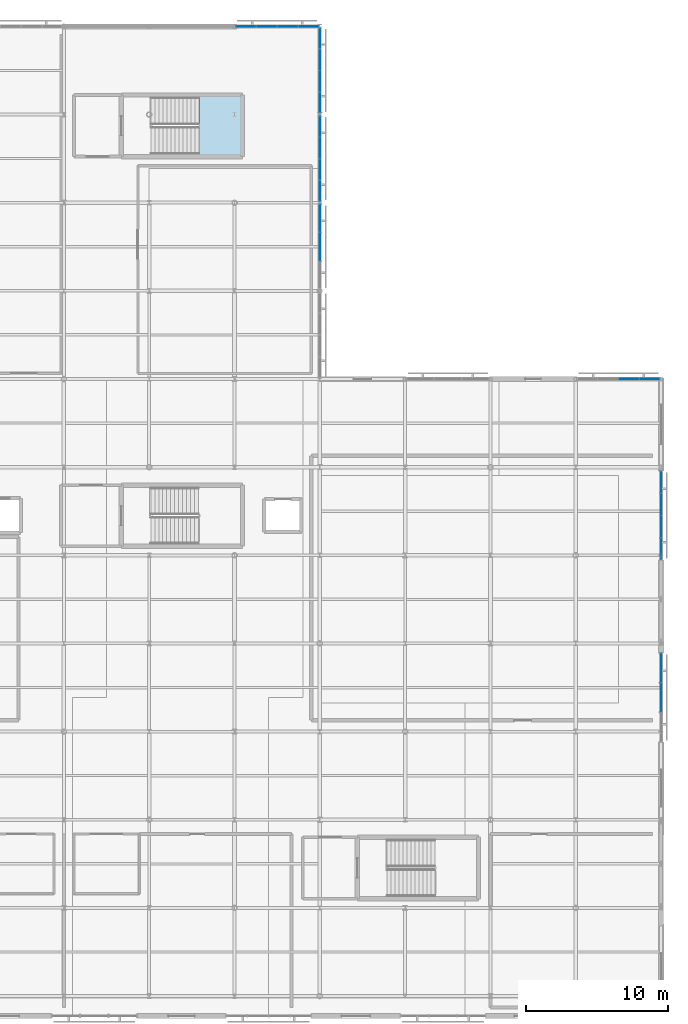
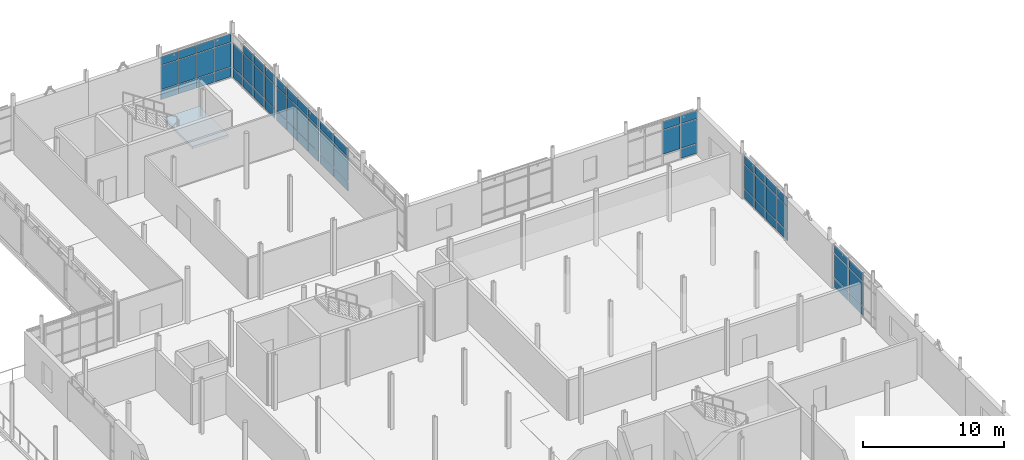
# One storey, part 55 of 84: 64 plates, 1 slab, 8 elements without a shape of their own.
"""IFC4 building model written with IfcOpenShell, lengths in metres."""

from ifc_helpers import new_model, si_unit, direction, frame, origin, origin_2d, place, context, subcontext, project, spatial, polyline, rectangle, outline, extrude, material, layer, layer_set, type_object, element, aggregate, save


model = new_model("IFC4")

# Units and contexts
model_context = context("Model", 3, precision=1e-05, world=origin(), true_north=direction((0.0, 1.0)))
body_context = subcontext(model_context, "Body", "Model", "MODEL_VIEW")
ifc_project = project(units=[si_unit("LENGTHUNIT", "METRE"), si_unit("AREAUNIT", "SQUARE_METRE"), si_unit("VOLUMEUNIT", "CUBIC_METRE"), si_unit("PLANEANGLEUNIT", "RADIAN"), si_unit("MASSUNIT", "GRAM", prefix="KILO")], contexts=[model_context])

# Site, building, storey
site_placement = place(None, origin())
site = spatial("IfcSite", under=ifc_project, at=site_placement, CompositionType="ELEMENT")
building_placement = place(site_placement, origin())
building = spatial("IfcBuilding", under=site, at=building_placement, Name="Mirzam Square Science Centre", CompositionType="ELEMENT")
storey_placement = place(building_placement, frame((0.0, 0.0, 10.800048828125)))
storey = spatial("IfcBuildingStorey", under=building, at=storey_placement, Name="L02", CompositionType="ELEMENT", Elevation=10.800048828125)

# Curtain wall, plates
ifc_material_1 = material(Name="Anodised Aluminium and Low-E Solar Glass", Category="aluminium")
ifc_layer_1 = layer(ifc_material_1, 0.159912109375)
ifc_layer_set_1 = layer_set([ifc_layer_1], Name="CW-COURT-B")
curtain_wall_type_1 = type_object("IfcCurtainWallType", Name="CW-COURT-B", PredefinedType="USERDEFINED", material=ifc_layer_set_1)
curtain_wall_1_placement = place(storey_placement, origin())
curtain_wall_1 = element("IfcCurtainWall", 1, at=curtain_wall_1_placement, inside=storey, type_object=curtain_wall_type_1, Name="L02 unitised curtain wall 107", ObjectType="UNITISED CURTAIN WALL", PredefinedType="USERDEFINED")
ifc_material_2 = material(Name="Ceramic-Fritted Courtyard Solar Glass", Category="glass")
ifc_layer_2 = layer(ifc_material_2, 0.02392578125)
ifc_layer_set_2 = layer_set([ifc_layer_2], Name="CWP-GLZ-24")
plate_type_1 = type_object("IfcPlateType", Name="CWP-GLZ-24", PredefinedType="CURTAIN_PANEL", material=ifc_layer_set_2)
plate_1_placement = place(storey_placement, frame((161.19384765625, 86.800048828125, 0.059814453125), z_axis=(0.0, 0.0, 1.0), x_axis=(-1.0, 0.0, 0.0)))
plate_1 = element("IfcPlate", 2, at=plate_1_placement, type_object=plate_type_1, Name="CW-04 panel 1.1", PredefinedType="CURTAIN_PANEL", context=body_context, shape_type="SweptSolid", body=[
    extrude(rectangle(XDim=1.382568359375, YDim=0.02392578125, at=origin_2d()), origin(), (0.0, 0.0, 1.0), 0.81005859375),
])
plate_2_placement = place(storey_placement, frame((161.19384765625, 86.800048828125, 0.929931640625), z_axis=(0.0, 0.0, 1.0), x_axis=(-1.0, 0.0, 0.0)))
plate_2 = element("IfcPlate", 3, at=plate_2_placement, type_object=plate_type_1, Name="CW-04 panel 1.2", PredefinedType="CURTAIN_PANEL", context=body_context, shape_type="SweptSolid", body=[
    extrude(rectangle(XDim=1.382568359375, YDim=0.02392578125, at=origin_2d()), origin(), (0.0, 0.0, 1.0), 2.080078125),
])
plate_3_placement = place(storey_placement, frame((161.19384765625, 86.800048828125, 3.070068359375), z_axis=(0.0, 0.0, 1.0), x_axis=(-1.0, 0.0, 0.0)))
plate_3 = element("IfcPlate", 4, at=plate_3_placement, type_object=plate_type_1, Name="CW-04 panel 1.3", PredefinedType="CURTAIN_PANEL", context=body_context, shape_type="SweptSolid", body=[
    extrude(rectangle(XDim=1.382568359375, YDim=0.02392578125, at=origin_2d()), origin(), (0.0, 0.0, 1.0), 0.7099609375),
])
plate_4_placement = place(storey_placement, frame((159.736328125, 86.800048828125, 0.929931640625), z_axis=(0.0, 0.0, 1.0), x_axis=(-1.0, 0.0, 0.0)))
plate_4 = element("IfcPlate", 5, at=plate_4_placement, type_object=plate_type_1, Name="CW-04 panel 2.2", PredefinedType="CURTAIN_PANEL", context=body_context, shape_type="SweptSolid", body=[
    extrude(rectangle(XDim=1.41259765625, YDim=0.02392578125, at=origin_2d()), origin(), (0.0, 0.0, 1.0), 2.080078125),
])
plate_5_placement = place(storey_placement, frame((159.736328125, 86.800048828125, 3.070068359375), z_axis=(0.0, 0.0, 1.0), x_axis=(-1.0, 0.0, 0.0)))
plate_5 = element("IfcPlate", 6, at=plate_5_placement, type_object=plate_type_1, Name="CW-04 panel 2.3", PredefinedType="CURTAIN_PANEL", context=body_context, shape_type="SweptSolid", body=[
    extrude(rectangle(XDim=1.41259765625, YDim=0.02392578125, at=origin_2d()), origin(), (0.0, 0.0, 1.0), 0.7099609375),
])
aggregate(curtain_wall_1, [plate_1, plate_2, plate_3, plate_4, plate_5])

ifc_layer_3 = layer(ifc_material_1, 0.239990234375)
ifc_layer_set_3 = layer_set([ifc_layer_3], Name="CW-EAST-B")
curtain_wall_type_2 = type_object("IfcCurtainWallType", Name="CW-EAST-B", PredefinedType="USERDEFINED", material=ifc_layer_set_3)
curtain_wall_2_placement = place(storey_placement, origin())
curtain_wall_2 = element("IfcCurtainWall", 7, at=curtain_wall_2_placement, inside=storey, type_object=curtain_wall_type_2, Name="L02 unitised curtain wall 105", ObjectType="UNITISED CURTAIN WALL", PredefinedType="USERDEFINED")
ifc_material_3 = material(Name="Double-Silver Low-E Insulated Solar Glass", Category="glass")
ifc_layer_4 = layer(ifc_material_3, 0.028076171875)
ifc_layer_set_4 = layer_set([ifc_layer_4], Name="CWP-GLZ-28")
plate_type_2 = type_object("IfcPlateType", Name="CWP-GLZ-28", PredefinedType="CURTAIN_PANEL", material=ifc_layer_set_4)
plate_6_placement = place(storey_placement, frame((162.0, 64.39990234375, 0.074951171875), z_axis=(0.0, 0.0, 1.0), x_axis=(0.0, 1.0, 0.0)))
plate_6 = element("IfcPlate", 8, at=plate_6_placement, type_object=plate_type_2, Name="CW-06 panel 2.1", PredefinedType="CURTAIN_PANEL", context=body_context, shape_type="SweptSolid", body=[
    extrude(rectangle(XDim=2.021728515625, YDim=0.028076171875, at=origin_2d()), origin(), (0.0, 0.0, 1.0), 0.78759765625),
])
plate_7_placement = place(storey_placement, frame((162.0, 64.39990234375, 0.9375), z_axis=(0.0, 0.0, 1.0), x_axis=(0.0, 1.0, 0.0)))
plate_7 = element("IfcPlate", 9, at=plate_7_placement, type_object=plate_type_2, Name="CW-06 panel 2.2", PredefinedType="CURTAIN_PANEL", context=body_context, shape_type="SweptSolid", body=[
    extrude(rectangle(XDim=2.021728515625, YDim=0.028076171875, at=origin_2d()), origin(), (0.0, 0.0, 1.0), 2.06494140625),
])
plate_8_placement = place(storey_placement, frame((162.0, 64.39990234375, 3.077392578125), z_axis=(0.0, 0.0, 1.0), x_axis=(0.0, 1.0, 0.0)))
plate_8 = element("IfcPlate", 10, at=plate_8_placement, type_object=plate_type_2, Name="CW-06 panel 2.3", PredefinedType="CURTAIN_PANEL", context=body_context, shape_type="SweptSolid", body=[
    extrude(rectangle(XDim=2.021728515625, YDim=0.028076171875, at=origin_2d()), origin(), (0.0, 0.0, 1.0), 0.6875),
])
plate_9_placement = place(storey_placement, frame((162.0, 66.47802734375, 0.074951171875), z_axis=(0.0, 0.0, 1.0), x_axis=(0.0, 1.0, 0.0)))
plate_9 = element("IfcPlate", 11, at=plate_9_placement, type_object=plate_type_2, Name="CW-06 panel 3.1", PredefinedType="CURTAIN_PANEL", context=body_context, shape_type="SweptSolid", body=[
    extrude(rectangle(XDim=1.984130859375, YDim=0.028076171875, at=origin_2d()), origin(), (0.0, 0.0, 1.0), 0.78759765625),
])
plate_10_placement = place(storey_placement, frame((162.0, 66.47802734375, 0.9375), z_axis=(0.0, 0.0, 1.0), x_axis=(0.0, 1.0, 0.0)))
plate_10 = element("IfcPlate", 12, at=plate_10_placement, type_object=plate_type_2, Name="CW-06 panel 3.2", PredefinedType="CURTAIN_PANEL", context=body_context, shape_type="SweptSolid", body=[
    extrude(rectangle(XDim=1.984130859375, YDim=0.028076171875, at=origin_2d()), origin(), (0.0, 0.0, 1.0), 2.06494140625),
])
plate_11_placement = place(storey_placement, frame((162.0, 66.47802734375, 3.077392578125), z_axis=(0.0, 0.0, 1.0), x_axis=(0.0, 1.0, 0.0)))
plate_11 = element("IfcPlate", 13, at=plate_11_placement, type_object=plate_type_2, Name="CW-06 panel 3.3", PredefinedType="CURTAIN_PANEL", context=body_context, shape_type="SweptSolid", body=[
    extrude(rectangle(XDim=1.984130859375, YDim=0.028076171875, at=origin_2d()), origin(), (0.0, 0.0, 1.0), 0.6875),
])
aggregate(curtain_wall_2, [plate_6, plate_7, plate_8, plate_9, plate_10, plate_11])

curtain_wall_3_placement = place(storey_placement, origin())
curtain_wall_3 = element("IfcCurtainWall", 14, at=curtain_wall_3_placement, inside=storey, type_object=curtain_wall_type_2, Name="L02 unitised curtain wall 118", ObjectType="UNITISED CURTAIN WALL", PredefinedType="USERDEFINED")
plate_12_placement = place(storey_placement, frame((138.0, 96.10009765625, 0.074951171875), z_axis=(0.0, 0.0, 1.0), x_axis=(0.0, 1.0, 0.0)))
plate_12 = element("IfcPlate", 15, at=plate_12_placement, type_object=plate_type_2, Name="CW-06 panel 2.1", PredefinedType="CURTAIN_PANEL", context=body_context, shape_type="SweptSolid", body=[
    extrude(rectangle(XDim=1.955078125, YDim=0.028076171875, at=origin_2d()), origin(), (0.0, 0.0, 1.0), 0.78759765625),
])
plate_13_placement = place(storey_placement, frame((138.0, 96.10009765625, 0.9375), z_axis=(0.0, 0.0, 1.0), x_axis=(0.0, 1.0, 0.0)))
plate_13 = element("IfcPlate", 16, at=plate_13_placement, type_object=plate_type_2, Name="CW-06 panel 2.2", PredefinedType="CURTAIN_PANEL", context=body_context, shape_type="SweptSolid", body=[
    extrude(rectangle(XDim=1.955078125, YDim=0.028076171875, at=origin_2d()), origin(), (0.0, 0.0, 1.0), 2.06494140625),
])
plate_14_placement = place(storey_placement, frame((138.0, 96.10009765625, 3.077392578125), z_axis=(0.0, 0.0, 1.0), x_axis=(0.0, 1.0, 0.0)))
plate_14 = element("IfcPlate", 17, at=plate_14_placement, type_object=plate_type_2, Name="CW-06 panel 2.3", PredefinedType="CURTAIN_PANEL", context=body_context, shape_type="SweptSolid", body=[
    extrude(rectangle(XDim=1.955078125, YDim=0.028076171875, at=origin_2d()), origin(), (0.0, 0.0, 1.0), 0.6875),
])
plate_15_placement = place(storey_placement, frame((138.0, 98.111328125, 0.074951171875), z_axis=(0.0, 0.0, 1.0), x_axis=(0.0, 1.0, 0.0)))
plate_15 = element("IfcPlate", 18, at=plate_15_placement, type_object=plate_type_2, Name="CW-06 panel 3.1", PredefinedType="CURTAIN_PANEL", context=body_context, shape_type="SweptSolid", body=[
    extrude(rectangle(XDim=1.91748046875, YDim=0.028076171875, at=origin_2d()), origin(), (0.0, 0.0, 1.0), 0.78759765625),
])
plate_16_placement = place(storey_placement, frame((138.0, 98.111328125, 0.9375), z_axis=(0.0, 0.0, 1.0), x_axis=(0.0, 1.0, 0.0)))
plate_16 = element("IfcPlate", 19, at=plate_16_placement, type_object=plate_type_2, Name="CW-06 panel 3.2", PredefinedType="CURTAIN_PANEL", context=body_context, shape_type="SweptSolid", body=[
    extrude(rectangle(XDim=1.91748046875, YDim=0.028076171875, at=origin_2d()), origin(), (0.0, 0.0, 1.0), 2.06494140625),
])
plate_17_placement = place(storey_placement, frame((138.0, 98.111328125, 3.077392578125), z_axis=(0.0, 0.0, 1.0), x_axis=(0.0, 1.0, 0.0)))
plate_17 = element("IfcPlate", 20, at=plate_17_placement, type_object=plate_type_2, Name="CW-06 panel 3.3", PredefinedType="CURTAIN_PANEL", context=body_context, shape_type="SweptSolid", body=[
    extrude(rectangle(XDim=1.91748046875, YDim=0.028076171875, at=origin_2d()), origin(), (0.0, 0.0, 1.0), 0.6875),
])
aggregate(curtain_wall_3, [plate_12, plate_13, plate_14, plate_15, plate_16, plate_17])

ifc_layer_5 = layer(ifc_material_1, 0.219970703125)
ifc_layer_set_5 = layer_set([ifc_layer_5], Name="CW-OBS-A")
curtain_wall_type_3 = type_object("IfcCurtainWallType", Name="CW-OBS-A", PredefinedType="USERDEFINED", material=ifc_layer_set_5)
curtain_wall_4_placement = place(storey_placement, origin())
curtain_wall_4 = element("IfcCurtainWall", 21, at=curtain_wall_4_placement, inside=storey, type_object=curtain_wall_type_3, Name="L02 unitised curtain wall 120", ObjectType="UNITISED CURTAIN WALL", PredefinedType="USERDEFINED")
ifc_material_4 = material(Name="Triple-Glazed Acoustic Low-E Solar Glass", Category="glass")
ifc_layer_6 = layer(ifc_material_4, 0.031982421875)
ifc_layer_set_6 = layer_set([ifc_layer_6], Name="CWP-GLZ-32")
plate_type_3 = type_object("IfcPlateType", Name="CWP-GLZ-32", PredefinedType="CURTAIN_PANEL", material=ifc_layer_set_6)
plate_18_placement = place(storey_placement, frame((138.0, 100.03125, 0.059814453125), z_axis=(0.0, 0.0, 1.0), x_axis=(0.0, 1.0, 0.0)))
plate_18 = element("IfcPlate", 22, at=plate_18_placement, type_object=plate_type_3, Name="CW-07 panel 1.1", PredefinedType="CURTAIN_PANEL", context=body_context, shape_type="SweptSolid", body=[
    extrude(rectangle(XDim=1.4326171875, YDim=0.031982421875, at=origin_2d()), origin(), (0.0, 0.0, 1.0), 0.81005859375),
])
plate_19_placement = place(storey_placement, frame((138.0, 100.03125, 0.929931640625), z_axis=(0.0, 0.0, 1.0), x_axis=(0.0, 1.0, 0.0)))
plate_19 = element("IfcPlate", 23, at=plate_19_placement, type_object=plate_type_3, Name="CW-07 panel 1.2", PredefinedType="CURTAIN_PANEL", context=body_context, shape_type="SweptSolid", body=[
    extrude(rectangle(XDim=1.4326171875, YDim=0.031982421875, at=origin_2d()), origin(), (0.0, 0.0, 1.0), 2.080078125),
])
plate_20_placement = place(storey_placement, frame((138.0, 100.03125, 3.070068359375), z_axis=(0.0, 0.0, 1.0), x_axis=(0.0, 1.0, 0.0)))
plate_20 = element("IfcPlate", 24, at=plate_20_placement, type_object=plate_type_3, Name="CW-07 panel 1.3", PredefinedType="CURTAIN_PANEL", context=body_context, shape_type="SweptSolid", body=[
    extrude(rectangle(XDim=1.4326171875, YDim=0.031982421875, at=origin_2d()), origin(), (0.0, 0.0, 1.0), 0.7099609375),
])
plate_21_placement = place(storey_placement, frame((138.0, 101.538818359375, 0.059814453125), z_axis=(0.0, 0.0, 1.0), x_axis=(0.0, 1.0, 0.0)))
plate_21 = element("IfcPlate", 25, at=plate_21_placement, type_object=plate_type_3, Name="CW-07 panel 2.1", PredefinedType="CURTAIN_PANEL", context=body_context, shape_type="SweptSolid", body=[
    extrude(rectangle(XDim=1.46240234375, YDim=0.031982421875, at=origin_2d()), origin(), (0.0, 0.0, 1.0), 0.81005859375),
])
plate_22_placement = place(storey_placement, frame((138.0, 101.538818359375, 0.929931640625), z_axis=(0.0, 0.0, 1.0), x_axis=(0.0, 1.0, 0.0)))
plate_22 = element("IfcPlate", 26, at=plate_22_placement, type_object=plate_type_3, Name="CW-07 panel 2.2", PredefinedType="CURTAIN_PANEL", context=body_context, shape_type="SweptSolid", body=[
    extrude(rectangle(XDim=1.46240234375, YDim=0.031982421875, at=origin_2d()), origin(), (0.0, 0.0, 1.0), 2.080078125),
])
plate_23_placement = place(storey_placement, frame((138.0, 101.538818359375, 3.070068359375), z_axis=(0.0, 0.0, 1.0), x_axis=(0.0, 1.0, 0.0)))
plate_23 = element("IfcPlate", 27, at=plate_23_placement, type_object=plate_type_3, Name="CW-07 panel 2.3", PredefinedType="CURTAIN_PANEL", context=body_context, shape_type="SweptSolid", body=[
    extrude(rectangle(XDim=1.46240234375, YDim=0.031982421875, at=origin_2d()), origin(), (0.0, 0.0, 1.0), 0.7099609375),
])
plate_24_placement = place(storey_placement, frame((138.0, 103.061279296875, 0.059814453125), z_axis=(0.0, 0.0, 1.0), x_axis=(0.0, 1.0, 0.0)))
plate_24 = element("IfcPlate", 28, at=plate_24_placement, type_object=plate_type_3, Name="CW-07 panel 3.1", PredefinedType="CURTAIN_PANEL", context=body_context, shape_type="SweptSolid", body=[
    extrude(rectangle(XDim=1.46240234375, YDim=0.031982421875, at=origin_2d()), origin(), (0.0, 0.0, 1.0), 0.81005859375),
])
plate_25_placement = place(storey_placement, frame((138.0, 103.061279296875, 0.929931640625), z_axis=(0.0, 0.0, 1.0), x_axis=(0.0, 1.0, 0.0)))
plate_25 = element("IfcPlate", 29, at=plate_25_placement, type_object=plate_type_3, Name="CW-07 panel 3.2", PredefinedType="CURTAIN_PANEL", context=body_context, shape_type="SweptSolid", body=[
    extrude(rectangle(XDim=1.46240234375, YDim=0.031982421875, at=origin_2d()), origin(), (0.0, 0.0, 1.0), 2.080078125),
])
plate_26_placement = place(storey_placement, frame((138.0, 103.061279296875, 3.070068359375), z_axis=(0.0, 0.0, 1.0), x_axis=(0.0, 1.0, 0.0)))
plate_26 = element("IfcPlate", 30, at=plate_26_placement, type_object=plate_type_3, Name="CW-07 panel 3.3", PredefinedType="CURTAIN_PANEL", context=body_context, shape_type="SweptSolid", body=[
    extrude(rectangle(XDim=1.46240234375, YDim=0.031982421875, at=origin_2d()), origin(), (0.0, 0.0, 1.0), 0.7099609375),
])
plate_27_placement = place(storey_placement, frame((138.0, 104.56884765625, 0.059814453125), z_axis=(0.0, 0.0, 1.0), x_axis=(0.0, 1.0, 0.0)))
plate_27 = element("IfcPlate", 31, at=plate_27_placement, type_object=plate_type_3, Name="CW-07 panel 4.1", PredefinedType="CURTAIN_PANEL", context=body_context, shape_type="SweptSolid", body=[
    extrude(rectangle(XDim=1.4326171875, YDim=0.031982421875, at=origin_2d()), origin(), (0.0, 0.0, 1.0), 0.81005859375),
])
plate_28_placement = place(storey_placement, frame((138.0, 104.56884765625, 0.929931640625), z_axis=(0.0, 0.0, 1.0), x_axis=(0.0, 1.0, 0.0)))
plate_28 = element("IfcPlate", 32, at=plate_28_placement, type_object=plate_type_3, Name="CW-07 panel 4.2", PredefinedType="CURTAIN_PANEL", context=body_context, shape_type="SweptSolid", body=[
    extrude(rectangle(XDim=1.4326171875, YDim=0.031982421875, at=origin_2d()), origin(), (0.0, 0.0, 1.0), 2.080078125),
])
plate_29_placement = place(storey_placement, frame((138.0, 104.56884765625, 3.070068359375), z_axis=(0.0, 0.0, 1.0), x_axis=(0.0, 1.0, 0.0)))
plate_29 = element("IfcPlate", 33, at=plate_29_placement, type_object=plate_type_3, Name="CW-07 panel 4.3", PredefinedType="CURTAIN_PANEL", context=body_context, shape_type="SweptSolid", body=[
    extrude(rectangle(XDim=1.4326171875, YDim=0.031982421875, at=origin_2d()), origin(), (0.0, 0.0, 1.0), 0.7099609375),
])
aggregate(curtain_wall_4, [plate_18, plate_19, plate_20, plate_21, plate_22, plate_23, plate_24, plate_25, plate_26, plate_27, plate_28, plate_29])

ifc_layer_7 = layer(ifc_material_1, 0.179931640625)
ifc_layer_set_7 = layer_set([ifc_layer_7], Name="CW-LINK-A")
curtain_wall_type_4 = type_object("IfcCurtainWallType", Name="CW-LINK-A", PredefinedType="USERDEFINED", material=ifc_layer_set_7)
curtain_wall_5_placement = place(storey_placement, origin())
curtain_wall_5 = element("IfcCurtainWall", 34, at=curtain_wall_5_placement, inside=storey, type_object=curtain_wall_type_4, Name="L02 unitised curtain wall 106", ObjectType="UNITISED CURTAIN WALL", PredefinedType="USERDEFINED")
ifc_material_5 = material(Name="Laminated Low-Iron Observatory Solar Glass", Category="glass")
ifc_layer_8 = layer(ifc_material_5, 0.035888671875)
ifc_layer_set_8 = layer_set([ifc_layer_8], Name="CWP-GLZ-36")
plate_type_4 = type_object("IfcPlateType", Name="CWP-GLZ-36", PredefinedType="CURTAIN_PANEL", material=ifc_layer_set_8)
plate_30_placement = place(storey_placement, frame((162.0, 74.857421875, 0.06494140625), z_axis=(0.0, 0.0, 1.0), x_axis=(0.0, 1.0, 0.0)))
plate_30 = element("IfcPlate", 35, at=plate_30_placement, type_object=plate_type_4, Name="CW-08 panel 1.1", PredefinedType="CURTAIN_PANEL", context=body_context, shape_type="SweptSolid", body=[
    extrude(rectangle(XDim=1.47509765625, YDim=0.035888671875, at=origin_2d()), origin(), (0.0, 0.0, 1.0), 0.802490234375),
])
plate_31_placement = place(storey_placement, frame((162.0, 74.857421875, 0.9326171875), z_axis=(0.0, 0.0, 1.0), x_axis=(0.0, 1.0, 0.0)))
plate_31 = element("IfcPlate", 36, at=plate_31_placement, type_object=plate_type_4, Name="CW-08 panel 1.2", PredefinedType="CURTAIN_PANEL", context=body_context, shape_type="SweptSolid", body=[
    extrude(rectangle(XDim=1.47509765625, YDim=0.035888671875, at=origin_2d()), origin(), (0.0, 0.0, 1.0), 2.074951171875),
])
plate_32_placement = place(storey_placement, frame((162.0, 74.857421875, 3.072265625), z_axis=(0.0, 0.0, 1.0), x_axis=(0.0, 1.0, 0.0)))
plate_32 = element("IfcPlate", 37, at=plate_32_placement, type_object=plate_type_4, Name="CW-08 panel 1.3", PredefinedType="CURTAIN_PANEL", context=body_context, shape_type="SweptSolid", body=[
    extrude(rectangle(XDim=1.47509765625, YDim=0.035888671875, at=origin_2d()), origin(), (0.0, 0.0, 1.0), 0.702392578125),
])
plate_33_placement = place(storey_placement, frame((162.0, 76.413818359375, 0.06494140625), z_axis=(0.0, 0.0, 1.0), x_axis=(0.0, 1.0, 0.0)))
plate_33 = element("IfcPlate", 38, at=plate_33_placement, type_object=plate_type_4, Name="CW-08 panel 2.1", PredefinedType="CURTAIN_PANEL", context=body_context, shape_type="SweptSolid", body=[
    extrude(rectangle(XDim=1.507568359375, YDim=0.035888671875, at=origin_2d()), origin(), (0.0, 0.0, 1.0), 0.802490234375),
])
plate_34_placement = place(storey_placement, frame((162.0, 76.413818359375, 0.9326171875), z_axis=(0.0, 0.0, 1.0), x_axis=(0.0, 1.0, 0.0)))
plate_34 = element("IfcPlate", 39, at=plate_34_placement, type_object=plate_type_4, Name="CW-08 panel 2.2", PredefinedType="CURTAIN_PANEL", context=body_context, shape_type="SweptSolid", body=[
    extrude(rectangle(XDim=1.507568359375, YDim=0.035888671875, at=origin_2d()), origin(), (0.0, 0.0, 1.0), 2.074951171875),
])
plate_35_placement = place(storey_placement, frame((162.0, 76.413818359375, 3.072265625), z_axis=(0.0, 0.0, 1.0), x_axis=(0.0, 1.0, 0.0)))
plate_35 = element("IfcPlate", 40, at=plate_35_placement, type_object=plate_type_4, Name="CW-08 panel 2.3", PredefinedType="CURTAIN_PANEL", context=body_context, shape_type="SweptSolid", body=[
    extrude(rectangle(XDim=1.507568359375, YDim=0.035888671875, at=origin_2d()), origin(), (0.0, 0.0, 1.0), 0.702392578125),
])
plate_36_placement = place(storey_placement, frame((162.0, 77.986328125, 0.06494140625), z_axis=(0.0, 0.0, 1.0), x_axis=(0.0, 1.0, 0.0)))
plate_36 = element("IfcPlate", 41, at=plate_36_placement, type_object=plate_type_4, Name="CW-08 panel 3.1", PredefinedType="CURTAIN_PANEL", context=body_context, shape_type="SweptSolid", body=[
    extrude(rectangle(XDim=1.507568359375, YDim=0.035888671875, at=origin_2d()), origin(), (0.0, 0.0, 1.0), 0.802490234375),
])
plate_37_placement = place(storey_placement, frame((162.0, 77.986328125, 0.9326171875), z_axis=(0.0, 0.0, 1.0), x_axis=(0.0, 1.0, 0.0)))
plate_37 = element("IfcPlate", 42, at=plate_37_placement, type_object=plate_type_4, Name="CW-08 panel 3.2", PredefinedType="CURTAIN_PANEL", context=body_context, shape_type="SweptSolid", body=[
    extrude(rectangle(XDim=1.507568359375, YDim=0.035888671875, at=origin_2d()), origin(), (0.0, 0.0, 1.0), 2.074951171875),
])
plate_38_placement = place(storey_placement, frame((162.0, 77.986328125, 3.072265625), z_axis=(0.0, 0.0, 1.0), x_axis=(0.0, 1.0, 0.0)))
plate_38 = element("IfcPlate", 43, at=plate_38_placement, type_object=plate_type_4, Name="CW-08 panel 3.3", PredefinedType="CURTAIN_PANEL", context=body_context, shape_type="SweptSolid", body=[
    extrude(rectangle(XDim=1.507568359375, YDim=0.035888671875, at=origin_2d()), origin(), (0.0, 0.0, 1.0), 0.702392578125),
])
plate_39_placement = place(storey_placement, frame((162.0, 79.54248046875, 0.06494140625), z_axis=(0.0, 0.0, 1.0), x_axis=(0.0, 1.0, 0.0)))
plate_39 = element("IfcPlate", 44, at=plate_39_placement, type_object=plate_type_4, Name="CW-08 panel 4.1", PredefinedType="CURTAIN_PANEL", context=body_context, shape_type="SweptSolid", body=[
    extrude(rectangle(XDim=1.47509765625, YDim=0.035888671875, at=origin_2d()), origin(), (0.0, 0.0, 1.0), 0.802490234375),
])
plate_40_placement = place(storey_placement, frame((162.0, 79.54248046875, 0.9326171875), z_axis=(0.0, 0.0, 1.0), x_axis=(0.0, 1.0, 0.0)))
plate_40 = element("IfcPlate", 45, at=plate_40_placement, type_object=plate_type_4, Name="CW-08 panel 4.2", PredefinedType="CURTAIN_PANEL", context=body_context, shape_type="SweptSolid", body=[
    extrude(rectangle(XDim=1.47509765625, YDim=0.035888671875, at=origin_2d()), origin(), (0.0, 0.0, 1.0), 2.074951171875),
])
plate_41_placement = place(storey_placement, frame((162.0, 79.54248046875, 3.072265625), z_axis=(0.0, 0.0, 1.0), x_axis=(0.0, 1.0, 0.0)))
plate_41 = element("IfcPlate", 46, at=plate_41_placement, type_object=plate_type_4, Name="CW-08 panel 4.3", PredefinedType="CURTAIN_PANEL", context=body_context, shape_type="SweptSolid", body=[
    extrude(rectangle(XDim=1.47509765625, YDim=0.035888671875, at=origin_2d()), origin(), (0.0, 0.0, 1.0), 0.702392578125),
])
aggregate(curtain_wall_5, [plate_30, plate_31, plate_32, plate_33, plate_34, plate_35, plate_36, plate_37, plate_38, plate_39, plate_40, plate_41])

curtain_wall_6_placement = place(storey_placement, origin())
curtain_wall_6 = element("IfcCurtainWall", 47, at=curtain_wall_6_placement, inside=storey, type_object=curtain_wall_type_3, Name="L02 unitised curtain wall 114", ObjectType="UNITISED CURTAIN WALL", PredefinedType="USERDEFINED")
plate_42_placement = place(storey_placement, frame((137.1923828125, 111.60009765625, 0.06494140625), z_axis=(0.0, 0.0, 1.0), x_axis=(-1.0, 0.0, 0.0)))
plate_42 = element("IfcPlate", 48, at=plate_42_placement, type_object=plate_type_4, Name="CW-07 panel 1.1", PredefinedType="CURTAIN_PANEL", context=body_context, shape_type="SweptSolid", body=[
    extrude(rectangle(XDim=1.375, YDim=0.035888671875, at=origin_2d()), origin(), (0.0, 0.0, 1.0), 0.802490234375),
])
plate_43_placement = place(storey_placement, frame((137.1923828125, 111.60009765625, 0.9326171875), z_axis=(0.0, 0.0, 1.0), x_axis=(-1.0, 0.0, 0.0)))
plate_43 = element("IfcPlate", 49, at=plate_43_placement, type_object=plate_type_4, Name="CW-07 panel 1.2", PredefinedType="CURTAIN_PANEL", context=body_context, shape_type="SweptSolid", body=[
    extrude(rectangle(XDim=1.375, YDim=0.035888671875, at=origin_2d()), origin(), (0.0, 0.0, 1.0), 2.074951171875),
])
plate_44_placement = place(storey_placement, frame((137.1923828125, 111.60009765625, 3.072265625), z_axis=(0.0, 0.0, 1.0), x_axis=(-1.0, 0.0, 0.0)))
plate_44 = element("IfcPlate", 50, at=plate_44_placement, type_object=plate_type_4, Name="CW-07 panel 1.3", PredefinedType="CURTAIN_PANEL", context=body_context, shape_type="SweptSolid", body=[
    extrude(rectangle(XDim=1.375, YDim=0.035888671875, at=origin_2d()), origin(), (0.0, 0.0, 1.0), 0.702392578125),
])
plate_45_placement = place(storey_placement, frame((135.736328125, 111.60009765625, 0.06494140625), z_axis=(0.0, 0.0, 1.0), x_axis=(-1.0, 0.0, 0.0)))
plate_45 = element("IfcPlate", 51, at=plate_45_placement, type_object=plate_type_4, Name="CW-07 panel 2.1", PredefinedType="CURTAIN_PANEL", context=body_context, shape_type="SweptSolid", body=[
    extrude(rectangle(XDim=1.407470703125, YDim=0.035888671875, at=origin_2d()), origin(), (0.0, 0.0, 1.0), 0.802490234375),
])
plate_46_placement = place(storey_placement, frame((135.736328125, 111.60009765625, 0.9326171875), z_axis=(0.0, 0.0, 1.0), x_axis=(-1.0, 0.0, 0.0)))
plate_46 = element("IfcPlate", 52, at=plate_46_placement, type_object=plate_type_4, Name="CW-07 panel 2.2", PredefinedType="CURTAIN_PANEL", context=body_context, shape_type="SweptSolid", body=[
    extrude(rectangle(XDim=1.407470703125, YDim=0.035888671875, at=origin_2d()), origin(), (0.0, 0.0, 1.0), 2.074951171875),
])
plate_47_placement = place(storey_placement, frame((135.736328125, 111.60009765625, 3.072265625), z_axis=(0.0, 0.0, 1.0), x_axis=(-1.0, 0.0, 0.0)))
plate_47 = element("IfcPlate", 53, at=plate_47_placement, type_object=plate_type_4, Name="CW-07 panel 2.3", PredefinedType="CURTAIN_PANEL", context=body_context, shape_type="SweptSolid", body=[
    extrude(rectangle(XDim=1.407470703125, YDim=0.035888671875, at=origin_2d()), origin(), (0.0, 0.0, 1.0), 0.702392578125),
])
plate_48_placement = place(storey_placement, frame((134.263671875, 111.60009765625, 0.06494140625), z_axis=(0.0, 0.0, 1.0), x_axis=(-1.0, 0.0, 0.0)))
plate_48 = element("IfcPlate", 54, at=plate_48_placement, type_object=plate_type_4, Name="CW-07 panel 3.1", PredefinedType="CURTAIN_PANEL", context=body_context, shape_type="SweptSolid", body=[
    extrude(rectangle(XDim=1.407470703125, YDim=0.035888671875, at=origin_2d()), origin(), (0.0, 0.0, 1.0), 0.802490234375),
])
plate_49_placement = place(storey_placement, frame((134.263671875, 111.60009765625, 0.9326171875), z_axis=(0.0, 0.0, 1.0), x_axis=(-1.0, 0.0, 0.0)))
plate_49 = element("IfcPlate", 55, at=plate_49_placement, type_object=plate_type_4, Name="CW-07 panel 3.2", PredefinedType="CURTAIN_PANEL", context=body_context, shape_type="SweptSolid", body=[
    extrude(rectangle(XDim=1.407470703125, YDim=0.035888671875, at=origin_2d()), origin(), (0.0, 0.0, 1.0), 2.074951171875),
])
plate_50_placement = place(storey_placement, frame((134.263671875, 111.60009765625, 3.072265625), z_axis=(0.0, 0.0, 1.0), x_axis=(-1.0, 0.0, 0.0)))
plate_50 = element("IfcPlate", 56, at=plate_50_placement, type_object=plate_type_4, Name="CW-07 panel 3.3", PredefinedType="CURTAIN_PANEL", context=body_context, shape_type="SweptSolid", body=[
    extrude(rectangle(XDim=1.407470703125, YDim=0.035888671875, at=origin_2d()), origin(), (0.0, 0.0, 1.0), 0.702392578125),
])
plate_51_placement = place(storey_placement, frame((132.8076171875, 111.60009765625, 0.06494140625), z_axis=(0.0, 0.0, 1.0), x_axis=(-1.0, 0.0, 0.0)))
plate_51 = element("IfcPlate", 57, at=plate_51_placement, type_object=plate_type_4, Name="CW-07 panel 4.1", PredefinedType="CURTAIN_PANEL", context=body_context, shape_type="SweptSolid", body=[
    extrude(rectangle(XDim=1.375, YDim=0.035888671875, at=origin_2d()), origin(), (0.0, 0.0, 1.0), 0.802490234375),
])
plate_52_placement = place(storey_placement, frame((132.8076171875, 111.60009765625, 0.9326171875), z_axis=(0.0, 0.0, 1.0), x_axis=(-1.0, 0.0, 0.0)))
plate_52 = element("IfcPlate", 58, at=plate_52_placement, type_object=plate_type_4, Name="CW-07 panel 4.2", PredefinedType="CURTAIN_PANEL", context=body_context, shape_type="SweptSolid", body=[
    extrude(rectangle(XDim=1.375, YDim=0.035888671875, at=origin_2d()), origin(), (0.0, 0.0, 1.0), 2.074951171875),
])
plate_53_placement = place(storey_placement, frame((132.8076171875, 111.60009765625, 3.072265625), z_axis=(0.0, 0.0, 1.0), x_axis=(-1.0, 0.0, 0.0)))
plate_53 = element("IfcPlate", 59, at=plate_53_placement, type_object=plate_type_4, Name="CW-07 panel 4.3", PredefinedType="CURTAIN_PANEL", context=body_context, shape_type="SweptSolid", body=[
    extrude(rectangle(XDim=1.375, YDim=0.035888671875, at=origin_2d()), origin(), (0.0, 0.0, 1.0), 0.702392578125),
])
aggregate(curtain_wall_6, [plate_42, plate_43, plate_44, plate_45, plate_46, plate_47, plate_48, plate_49, plate_50, plate_51, plate_52, plate_53])

curtain_wall_7_placement = place(storey_placement, origin())
curtain_wall_7 = element("IfcCurtainWall", 60, at=curtain_wall_7_placement, inside=storey, type_object=curtain_wall_type_4, Name="L02 unitised curtain wall 122", ObjectType="UNITISED CURTAIN WALL", PredefinedType="USERDEFINED")
plate_54_placement = place(storey_placement, frame((138.0, 106.232421875, 0.06494140625), z_axis=(0.0, 0.0, 1.0), x_axis=(0.0, 1.0, 0.0)))
plate_54 = element("IfcPlate", 61, at=plate_54_placement, type_object=plate_type_4, Name="CW-08 panel 1.1", PredefinedType="CURTAIN_PANEL", context=body_context, shape_type="SweptSolid", body=[
    extrude(rectangle(XDim=1.425048828125, YDim=0.035888671875, at=origin_2d()), origin(), (0.0, 0.0, 1.0), 0.802490234375),
])
plate_55_placement = place(storey_placement, frame((138.0, 106.232421875, 0.9326171875), z_axis=(0.0, 0.0, 1.0), x_axis=(0.0, 1.0, 0.0)))
plate_55 = element("IfcPlate", 62, at=plate_55_placement, type_object=plate_type_4, Name="CW-08 panel 1.2", PredefinedType="CURTAIN_PANEL", context=body_context, shape_type="SweptSolid", body=[
    extrude(rectangle(XDim=1.425048828125, YDim=0.035888671875, at=origin_2d()), origin(), (0.0, 0.0, 1.0), 2.074951171875),
])
plate_56_placement = place(storey_placement, frame((138.0, 106.232421875, 3.072265625), z_axis=(0.0, 0.0, 1.0), x_axis=(0.0, 1.0, 0.0)))
plate_56 = element("IfcPlate", 63, at=plate_56_placement, type_object=plate_type_4, Name="CW-08 panel 1.3", PredefinedType="CURTAIN_PANEL", context=body_context, shape_type="SweptSolid", body=[
    extrude(rectangle(XDim=1.425048828125, YDim=0.035888671875, at=origin_2d()), origin(), (0.0, 0.0, 1.0), 0.702392578125),
])
plate_57_placement = place(storey_placement, frame((138.0, 107.73876953125, 0.06494140625), z_axis=(0.0, 0.0, 1.0), x_axis=(0.0, 1.0, 0.0)))
plate_57 = element("IfcPlate", 64, at=plate_57_placement, type_object=plate_type_4, Name="CW-08 panel 2.1", PredefinedType="CURTAIN_PANEL", context=body_context, shape_type="SweptSolid", body=[
    extrude(rectangle(XDim=1.45751953125, YDim=0.035888671875, at=origin_2d()), origin(), (0.0, 0.0, 1.0), 0.802490234375),
])
plate_58_placement = place(storey_placement, frame((138.0, 107.73876953125, 0.9326171875), z_axis=(0.0, 0.0, 1.0), x_axis=(0.0, 1.0, 0.0)))
plate_58 = element("IfcPlate", 65, at=plate_58_placement, type_object=plate_type_4, Name="CW-08 panel 2.2", PredefinedType="CURTAIN_PANEL", context=body_context, shape_type="SweptSolid", body=[
    extrude(rectangle(XDim=1.45751953125, YDim=0.035888671875, at=origin_2d()), origin(), (0.0, 0.0, 1.0), 2.074951171875),
])
plate_59_placement = place(storey_placement, frame((138.0, 107.73876953125, 3.072265625), z_axis=(0.0, 0.0, 1.0), x_axis=(0.0, 1.0, 0.0)))
plate_59 = element("IfcPlate", 66, at=plate_59_placement, type_object=plate_type_4, Name="CW-08 panel 2.3", PredefinedType="CURTAIN_PANEL", context=body_context, shape_type="SweptSolid", body=[
    extrude(rectangle(XDim=1.45751953125, YDim=0.035888671875, at=origin_2d()), origin(), (0.0, 0.0, 1.0), 0.702392578125),
])
plate_60_placement = place(storey_placement, frame((138.0, 109.26123046875, 0.06494140625), z_axis=(0.0, 0.0, 1.0), x_axis=(0.0, 1.0, 0.0)))
plate_60 = element("IfcPlate", 67, at=plate_60_placement, type_object=plate_type_4, Name="CW-08 panel 3.1", PredefinedType="CURTAIN_PANEL", context=body_context, shape_type="SweptSolid", body=[
    extrude(rectangle(XDim=1.45751953125, YDim=0.035888671875, at=origin_2d()), origin(), (0.0, 0.0, 1.0), 0.802490234375),
])
plate_61_placement = place(storey_placement, frame((138.0, 109.26123046875, 0.9326171875), z_axis=(0.0, 0.0, 1.0), x_axis=(0.0, 1.0, 0.0)))
plate_61 = element("IfcPlate", 68, at=plate_61_placement, type_object=plate_type_4, Name="CW-08 panel 3.2", PredefinedType="CURTAIN_PANEL", context=body_context, shape_type="SweptSolid", body=[
    extrude(rectangle(XDim=1.45751953125, YDim=0.035888671875, at=origin_2d()), origin(), (0.0, 0.0, 1.0), 2.074951171875),
])
plate_62_placement = place(storey_placement, frame((138.0, 109.26123046875, 3.072265625), z_axis=(0.0, 0.0, 1.0), x_axis=(0.0, 1.0, 0.0)))
plate_62 = element("IfcPlate", 69, at=plate_62_placement, type_object=plate_type_4, Name="CW-08 panel 3.3", PredefinedType="CURTAIN_PANEL", context=body_context, shape_type="SweptSolid", body=[
    extrude(rectangle(XDim=1.45751953125, YDim=0.035888671875, at=origin_2d()), origin(), (0.0, 0.0, 1.0), 0.702392578125),
])
plate_63_placement = place(storey_placement, frame((138.0, 110.767578125, 0.06494140625), z_axis=(0.0, 0.0, 1.0), x_axis=(0.0, 1.0, 0.0)))
plate_63 = element("IfcPlate", 70, at=plate_63_placement, type_object=plate_type_4, Name="CW-08 panel 4.1", PredefinedType="CURTAIN_PANEL", context=body_context, shape_type="SweptSolid", body=[
    extrude(rectangle(XDim=1.425048828125, YDim=0.035888671875, at=origin_2d()), origin(), (0.0, 0.0, 1.0), 0.802490234375),
])
plate_64_placement = place(storey_placement, frame((138.0, 110.767578125, 0.9326171875), z_axis=(0.0, 0.0, 1.0), x_axis=(0.0, 1.0, 0.0)))
plate_64 = element("IfcPlate", 71, at=plate_64_placement, type_object=plate_type_4, Name="CW-08 panel 4.2", PredefinedType="CURTAIN_PANEL", context=body_context, shape_type="SweptSolid", body=[
    extrude(rectangle(XDim=1.425048828125, YDim=0.035888671875, at=origin_2d()), origin(), (0.0, 0.0, 1.0), 2.074951171875),
])
aggregate(curtain_wall_7, [plate_54, plate_55, plate_56, plate_57, plate_58, plate_59, plate_60, plate_61, plate_62, plate_63, plate_64])

# Stair, slab
ifc_material_6 = material(Name="Concrete C40/50", Category="concrete")
stair_type = type_object("IfcStairType", Name="ST-CORE-7-480", PredefinedType="HALF_TURN_STAIR", material=ifc_material_6)
stair_placement = place(storey_placement, origin())
stair = element("IfcStair", 72, at=stair_placement, inside=storey, type_object=stair_type, Name="L02 ST-11", PredefinedType="HALF_TURN_STAIR")
ifc_layer_9 = layer(ifc_material_6, 0.199951171875)
ifc_layer_set_9 = layer_set([ifc_layer_9], Name="SL-LANDING-200")
slab_type = type_object("IfcSlabType", Name="SL-LANDING-200", PredefinedType="LANDING", material=ifc_layer_set_9)
slab_placement = place(storey_placement, frame((0.0, 0.0, 2.199951171875)))
slab = element("IfcSlab", 73, at=slab_placement, type_object=slab_type, Name="ST-11 landing 1", PredefinedType="LANDING", context=body_context, shape_type="SweptSolid", body=[
    extrude(outline(polyline([(129.489990234375, 102.550048828125), (132.449951171875, 102.550048828125), (132.449951171875, 106.659912109375), (129.489990234375, 106.659912109375), (129.489990234375, 102.550048828125)])), origin(), (0.0, 0.0, 1.0), 0.199951171875),
])
aggregate(stair, [slab])

save(model, "model.ifc")
